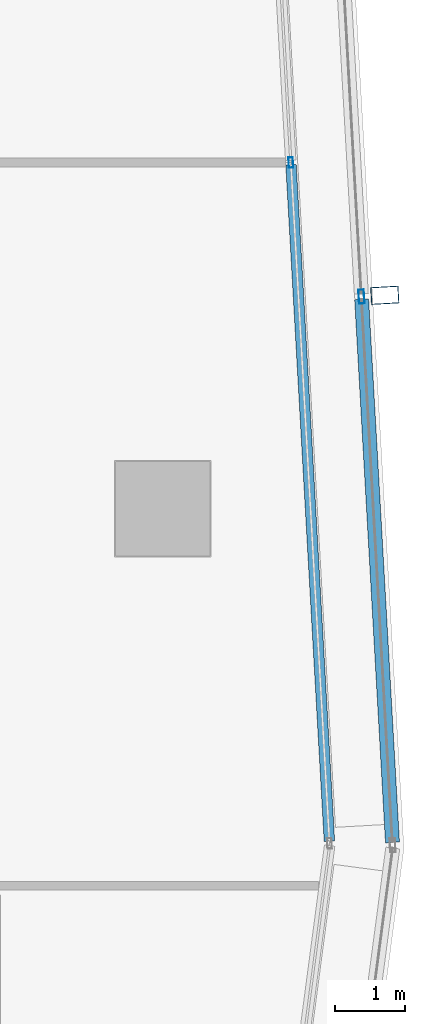
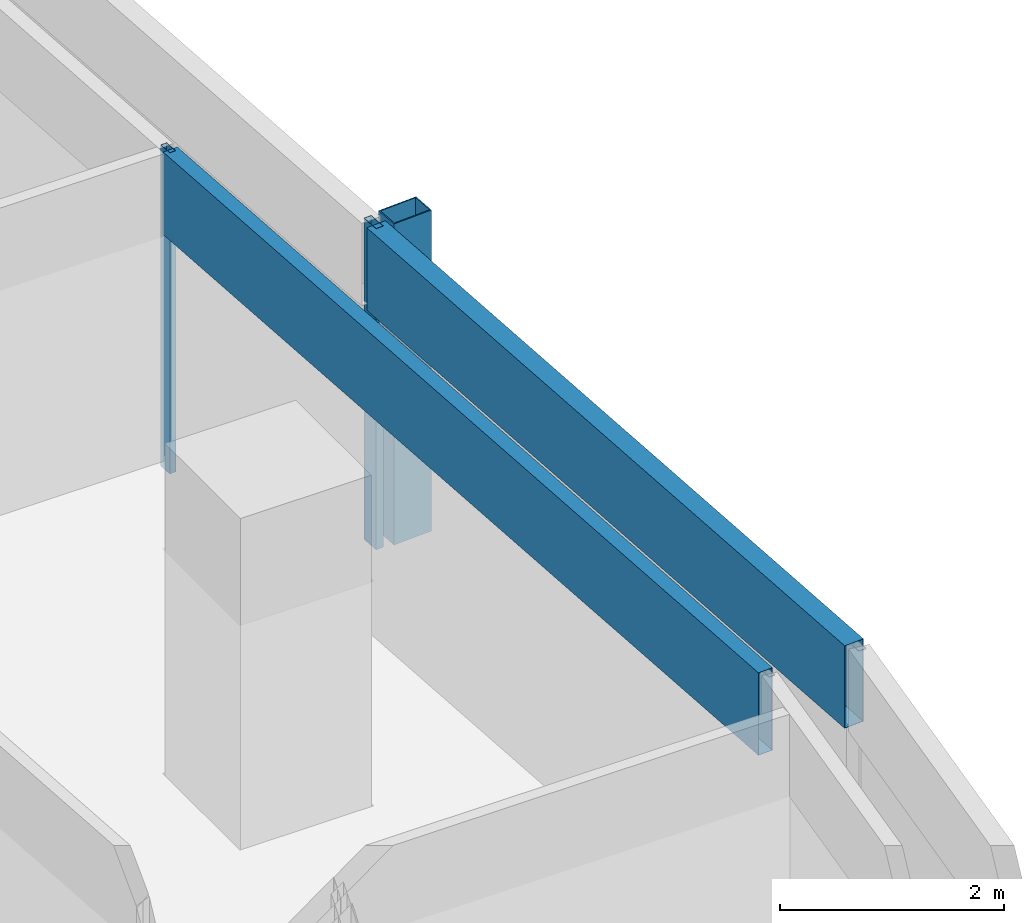
# One storey, part 13 of 39: 5 members, 2 elements without a shape of their own.
"""IFC4 building model written with IfcOpenShell, lengths in metres."""

import ifcopenshell
import ifcopenshell.guid

model = None  # the IFC model being written
_history = None  # IfcOwnerHistory: only IFC2X3 demands one
_inside = {}  # id of a spatial element -> (the spatial element, [elements in it])
_under = {}  # id of a project, library or spatial element -> (it, [spatial elements below it])
_declared = {}  # id of a project -> (the project, [libraries it declares])
_typed = {}  # id of a type object -> (the type object, [elements of that type])
_made_of = {}  # id of a material, layer set ... -> (it, [elements and type objects made of it])


def new_model(schema):
    """Start an empty IFC model of exactly this schema.

    Asked for "IFC4X3", IfcOpenShell would pick the latest addendum, in which some entities
    have other attributes; the version numbers below select the first issue.
    IFC2X3 requires an IfcOwnerHistory on every rooted entity: one is made here for all.
    """
    global model, _history
    if schema == "IFC4X3":
        model = ifcopenshell.file(schema_version=(4, 3, 0, 0))
    else:
        model = ifcopenshell.file(schema=schema)
    _inside.clear()
    _under.clear()
    _declared.clear()
    _typed.clear()
    _made_of.clear()
    _history = None
    if model.schema == "IFC2X3":
        org = make("IfcOrganization", Name="unknown")
        user = make(
            "IfcPersonAndOrganization",
            ThePerson=make("IfcPerson", FamilyName="unknown"),
            TheOrganization=org,
        )
        app = make(
            "IfcApplication",
            ApplicationDeveloper=org,
            Version="unknown",
            ApplicationFullName="unknown",
            ApplicationIdentifier="unknown",
        )
        _history = make(
            "IfcOwnerHistory",
            OwningUser=user,
            OwningApplication=app,
            ChangeAction="ADDED",
            CreationDate=0,
        )
    return model


def make(cls, **values):
    """One entity of the class cls with the attributes given. An attribute that is None is left unset."""
    return model.create_entity(
        cls, **{name: value for name, value in values.items() if value is not None}
    )


def rooted(cls, **values):
    """An entity with a GlobalId (a new one), such as an element, a storey or a relation."""
    return make(cls, GlobalId=ifcopenshell.guid.new(), OwnerHistory=_history, **values)


def si_unit(unit_type, name, prefix=None):
    """IfcSIUnit, for example si_unit("LENGTHUNIT", "METRE", prefix="MILLI")."""
    return make("IfcSIUnit", UnitType=unit_type, Prefix=prefix, Name=name)


def assignment(units):
    """IfcUnitAssignment: the units of a project."""
    return None if units is None else make("IfcUnitAssignment", Units=units)


def point(xyz):
    """IfcCartesianPoint."""
    return None if xyz is None else make("IfcCartesianPoint", Coordinates=xyz)


def direction(xyz):
    """IfcDirection."""
    return None if xyz is None else make("IfcDirection", DirectionRatios=xyz)


def frame(location, z_axis=None, x_axis=None):
    """IfcAxis2Placement3D, a coordinate frame: its origin and axes. An axis left out is left unset."""
    return make(
        "IfcAxis2Placement3D",
        Location=point(location),
        Axis=direction(z_axis),
        RefDirection=direction(x_axis),
    )


def frame_2d(location, x_axis=None):
    """IfcAxis2Placement2D, a coordinate frame in the plane: its origin and x axis."""
    return make(
        "IfcAxis2Placement2D", Location=point(location), RefDirection=direction(x_axis)
    )


def origin():
    """The frame at (0, 0, 0) with its axes left unset."""
    return frame((0.0, 0.0, 0.0))


def origin_2d():
    """The frame at (0, 0) in the plane with its x axis left unset."""
    return frame_2d((0.0, 0.0))


def place(relative_to, where):
    """IfcLocalPlacement: puts the frame where relative to a parent placement (None: the world)."""
    return make(
        "IfcLocalPlacement", PlacementRelTo=relative_to, RelativePlacement=where
    )


def context(
    kind, dimensions, precision=None, world=None, true_north=None, identifier=None
):
    """IfcGeometricRepresentationContext, for example the 3D "Model" context."""
    return make(
        "IfcGeometricRepresentationContext",
        ContextIdentifier=identifier,
        ContextType=kind,
        CoordinateSpaceDimension=dimensions,
        Precision=precision,
        WorldCoordinateSystem=world,
        TrueNorth=true_north,
    )


def subcontext(parent, identifier, kind, view, scale=None):
    """IfcGeometricRepresentationSubContext, for example "Body" below "Model"."""
    return make(
        "IfcGeometricRepresentationSubContext",
        ContextIdentifier=identifier,
        ContextType=kind,
        ParentContext=parent,
        TargetScale=scale,
        TargetView=view,
    )


def project(units=None, contexts=None):
    """IfcProject with its units and contexts."""
    return rooted(
        "IfcProject",
        Name="project",
        RepresentationContexts=contexts,
        UnitsInContext=assignment(units),
    )


def spatial(cls, under=None, at=None, **own):
    """A site, building, storey or space (cls), placed at a placement, below another one or the project."""
    s = rooted(cls, ObjectPlacement=at, **own)
    if under is not None:
        _under.setdefault(under.id(), (under, []))[1].append(s)
    return s


def profile(cls, at=None, kind="AREA", **sizes):
    """A parametric profile (cls). Its sizes go by their IFC names, for example OverallWidth=200.0."""
    return make(cls, ProfileType=kind, Position=at, **sizes)


def hollow_rectangle(**sizes):
    """IfcRectangleHollowProfileDef."""
    return profile("IfcRectangleHollowProfileDef", **sizes)


def extrude(swept, where, along, depth):
    """IfcExtrudedAreaSolid: the profile swept, set in the frame where, extruded along a direction by depth."""
    return make(
        "IfcExtrudedAreaSolid",
        SweptArea=swept,
        Position=where,
        ExtrudedDirection=direction(along),
        Depth=depth,
    )


def shape(context_of_items, identifier, shape_type, items):
    """IfcShapeRepresentation: the items that make up one representation, for example the "Body"."""
    return make(
        "IfcShapeRepresentation",
        ContextOfItems=context_of_items,
        RepresentationIdentifier=identifier,
        RepresentationType=shape_type,
        Items=items,
    )


def material(Name=None, Category=None):
    """IfcMaterial."""
    return make("IfcMaterial", Name=Name, Category=Category)


def material_profile(
    of_material, cross_section, Name=None, Category=None, Priority=None
):
    """IfcMaterialProfile: a cross section and its material."""
    return make(
        "IfcMaterialProfile",
        Name=Name,
        Material=of_material,
        Profile=cross_section,
        Priority=Priority,
        Category=Category,
    )


def profile_set(profiles, Name=None, composite=None):
    """IfcMaterialProfileSet."""
    return make(
        "IfcMaterialProfileSet",
        Name=Name,
        MaterialProfiles=profiles,
        CompositeProfile=composite,
    )


def made_of(thing, what):
    """Note that an element or type object is made of a material, layer set ...; save() writes the relation."""
    if what is not None:
        _made_of.setdefault(what.id(), (what, []))[1].append(thing)
    return thing


def type_object(cls, material=None, **own):
    """A type object (cls), such as IfcWallType, which elements share."""
    return made_of(rooted(cls, **own), material)


def element(
    cls,
    number,
    at=None,
    inside=None,
    cuts=None,
    type_object=None,
    material=None,
    context=None,
    identifier="Body",
    shape_type=None,
    held_by="IfcProductDefinitionShape",
    body=None,
    shapes=None,
    **own,
):
    """One element of the class cls, such as IfcWall. Its Tag is "e" and its number.

    at: its placement. inside: the storey or other place that contains it. cuts: it is an
    opening in that element (IfcRelVoidsElement). A single representation is given by context,
    identifier, shape_type and body (its items); several are given by shapes. held_by: the class
    of the entity that holds the representations. save() writes the other relations.
    """
    e = rooted(cls, Tag="e%d" % number, ObjectPlacement=at, **own)
    if body is not None:
        shapes = [shape(context, identifier, shape_type, body)]
    if shapes is not None:
        e.Representation = make(held_by, Representations=shapes)
    if inside is not None:
        _inside.setdefault(inside.id(), (inside, []))[1].append(e)
    if cuts is not None:
        rooted(
            "IfcRelVoidsElement", RelatingBuildingElement=cuts, RelatedOpeningElement=e
        )
    if type_object is not None:
        _typed.setdefault(type_object.id(), (type_object, []))[1].append(e)
    return made_of(e, material)


def aggregate(whole, parts):
    """IfcRelAggregates: a whole, such as a stair, and the parts it consists of."""
    return rooted("IfcRelAggregates", RelatingObject=whole, RelatedObjects=parts)


def save(model, path):
    """Write the relations noted so far, then the file.

    IfcRelAggregates (storeys below a building ...), IfcRelContainedInSpatialStructure (elements
    in a storey), IfcRelDefinesByType, IfcRelAssociatesMaterial and IfcRelDeclares: one each for
    every whole, place, type object, material and project.
    """
    for whole, parts in _under.values():
        aggregate(whole, parts)
    for where, things in _inside.values():
        rooted(
            "IfcRelContainedInSpatialStructure",
            RelatedElements=things,
            RelatingStructure=where,
        )
    for kind, things in _typed.values():
        rooted("IfcRelDefinesByType", RelatedObjects=things, RelatingType=kind)
    for what, things in _made_of.values():
        rooted("IfcRelAssociatesMaterial", RelatedObjects=things, RelatingMaterial=what)
    for by, libraries in _declared.values():
        rooted("IfcRelDeclares", RelatingContext=by, RelatedDefinitions=libraries)
    model.write(path)


model = new_model("IFC4")

# Units and contexts
model_context = context("Model", 3, precision=1e-05, world=origin(), true_north=direction((0.0, 1.0)))
body_context = subcontext(model_context, "Body", "Model", "MODEL_VIEW")
ifc_project = project(units=[si_unit("LENGTHUNIT", "METRE"), si_unit("AREAUNIT", "SQUARE_METRE"), si_unit("VOLUMEUNIT", "CUBIC_METRE"), si_unit("PLANEANGLEUNIT", "RADIAN"), si_unit("MASSUNIT", "GRAM", prefix="KILO")], contexts=[model_context])

# Site, building, storey
site_placement = place(None, origin())
site = spatial("IfcSite", under=ifc_project, at=site_placement, CompositionType="ELEMENT")
building_placement = place(site_placement, origin())
building = spatial("IfcBuilding", under=site, at=building_placement, Name="Rekha Terrace Tower", CompositionType="ELEMENT")
storey_placement = place(building_placement, frame((0.0, 0.0, 221.449951171875)))
storey = spatial("IfcBuildingStorey", under=building, at=storey_placement, Name="L56", CompositionType="ELEMENT", Elevation=221.449951171875)

# Curtain wall, member
ifc_material_1 = material(Name="Aluminium framing", Category="aluminium")
curtain_wall_type_1 = type_object("IfcCurtainWallType", Name="CW2 double skin outer glazing", PredefinedType="USERDEFINED", material=ifc_material_1)
curtain_wall_1_placement = place(storey_placement, origin())
curtain_wall_1 = element("IfcCurtainWall", 1, at=curtain_wall_1_placement, inside=storey, type_object=curtain_wall_type_1, Name="CW2 double skin outer glazing", ObjectType="DOUBLE SKIN OUTER GLAZING", PredefinedType="USERDEFINED")
ifc_material_2 = material(Name="Steel S355 with fluorocarbon finish", Category="steel")
ifc_material_profile_1 = material_profile(ifc_material_2, hollow_rectangle(XDim=0.25, YDim=0.39990234375, WallThickness=0.012451171875, at=origin_2d()), Name="RHS400x250x12.5")
ifc_profile_set_1 = profile_set([ifc_material_profile_1], Name="Steel S355 with fluorocarbon finish")
member_type_1 = type_object("IfcMemberType", Name="BL1 facade blade RHS 400 x 250", PredefinedType="USERDEFINED", material=ifc_profile_set_1)
member_1_placement = place(storey_placement, frame((61.975830078125, 36.65576171875, 0.0), z_axis=(0.0, 0.0, 1.0), x_axis=(-0.056673619809, 0.998392758797, 0.0)))
member_1 = element("IfcMember", 2, at=member_1_placement, type_object=member_type_1, Name="Facade blade", ObjectType="FACADE BLADE", PredefinedType="USERDEFINED", context=body_context, shape_type="SweptSolid", body=[
    extrude(hollow_rectangle(XDim=0.25, YDim=0.39990234375, WallThickness=0.012451171875, at=origin_2d()), origin(), (0.0, 0.0, 1.0), 3.5),
])

# Curtain wall, members
curtain_wall_type_2 = type_object("IfcCurtainWallType", Name="CW1 double skin inner glazing", PredefinedType="USERDEFINED", material=ifc_material_1)
curtain_wall_2_placement = place(storey_placement, origin())
curtain_wall_2 = element("IfcCurtainWall", 3, at=curtain_wall_2_placement, inside=storey, type_object=curtain_wall_type_2, Name="CW1 double skin inner glazing", ObjectType="DOUBLE SKIN INNER GLAZING", PredefinedType="USERDEFINED")
ifc_material_3 = material(Name="Aluminium mullion section", Category="aluminium")
ifc_material_profile_2 = material_profile(ifc_material_3, hollow_rectangle(XDim=0.06494140625, YDim=0.14990234375, WallThickness=0.00390625, at=origin_2d()), Name="AL RHS 65x150")
ifc_profile_set_2 = profile_set([ifc_material_profile_2], Name="Aluminium mullion section")
member_type_2 = type_object("IfcMemberType", Name="CW1 mullion RHS 65 x 150", PredefinedType="MULLION", material=ifc_profile_set_2)
member_2_placement = place(storey_placement, frame((60.631103515625, 38.555908203125, 0.0), z_axis=(0.0, 0.0, 1.0), x_axis=(-0.998392782919, -0.05667319486, 0.0)))
member_2 = element("IfcMember", 4, at=member_2_placement, type_object=member_type_2, Name="CW1 mullion 2", PredefinedType="MULLION", context=body_context, shape_type="SweptSolid", body=[
    extrude(hollow_rectangle(XDim=0.06494140625, YDim=0.14990234375, WallThickness=0.00390625, at=origin_2d()), origin(), (0.0, 0.0, 1.0), 3.5),
])
ifc_material_4 = material(Name="Insulated aluminium spandrel box", Category="aluminium")
ifc_material_profile_3 = material_profile(ifc_material_4, hollow_rectangle(XDim=0.14990234375, YDim=0.89990234375, WallThickness=0.0029296875, at=origin_2d()), Name="AL SPANDREL BOX 150x900")
ifc_profile_set_3 = profile_set([ifc_material_profile_3], Name="Insulated aluminium spandrel box")
member_type_3 = type_object("IfcMemberType", Name="CW1 spandrel transom 150 x 900", PredefinedType="USERDEFINED", material=ifc_profile_set_3)
member_3_placement = place(storey_placement, frame((61.182373046875, 28.8447265625, 3.050048828125), z_axis=(-0.056663932611, 0.998393308642, 0.0), x_axis=(-0.998393308642, -0.056663932611, 0.0)))
member_3 = element("IfcMember", 5, at=member_3_placement, type_object=member_type_3, Name="CW1 spandrel transom 1", ObjectType="TRANSOM", PredefinedType="USERDEFINED", context=body_context, shape_type="SweptSolid", body=[
    extrude(hollow_rectangle(XDim=0.14990234375, YDim=0.89990234375, WallThickness=0.0029296875, at=origin_2d()), origin(), (0.0, 0.0, 1.0), 9.6943359375),
])
aggregate(curtain_wall_2, [member_2, member_3])

# Member
ifc_material_profile_4 = material_profile(ifc_material_3, hollow_rectangle(XDim=0.080078125, YDim=0.199951171875, WallThickness=0.00390625, at=origin_2d()), Name="AL RHS 80x200")
ifc_profile_set_4 = profile_set([ifc_material_profile_4], Name="Aluminium mullion section")
member_type_4 = type_object("IfcMemberType", Name="CW2 mullion RHS 80 x 200", PredefinedType="MULLION", material=ifc_profile_set_4)
member_4_placement = place(storey_placement, frame((61.6416015625, 36.63671875, 0.0), z_axis=(0.0, 0.0, 1.0), x_axis=(-0.998392782919, -0.05667319486, 0.0)))
member_4 = element("IfcMember", 6, at=member_4_placement, type_object=member_type_4, Name="CW2 mullion 2", PredefinedType="MULLION", context=body_context, shape_type="SweptSolid", body=[
    extrude(hollow_rectangle(XDim=0.080078125, YDim=0.199951171875, WallThickness=0.00390625, at=origin_2d()), origin(), (0.0, 0.0, 1.0), 3.5),
])

ifc_material_profile_5 = material_profile(ifc_material_4, hollow_rectangle(XDim=0.199951171875, YDim=0.89990234375, WallThickness=0.0029296875, at=origin_2d()), Name="AL SPANDREL BOX 200x900")
ifc_profile_set_5 = profile_set([ifc_material_profile_5], Name="Insulated aluminium spandrel box")
member_type_5 = type_object("IfcMemberType", Name="CW2 spandrel transom 200 x 900", PredefinedType="USERDEFINED", material=ifc_profile_set_5)
member_5_placement = place(storey_placement, frame((62.0849609375, 28.825927734375, 3.050048828125), z_axis=(-0.05667908121, 0.998392448766, 0.0), x_axis=(-0.998392448766, -0.05667908121, 0.0)))
member_5 = element("IfcMember", 7, at=member_5_placement, type_object=member_type_5, Name="CW2 spandrel transom 1", ObjectType="TRANSOM", PredefinedType="USERDEFINED", context=body_context, shape_type="SweptSolid", body=[
    extrude(hollow_rectangle(XDim=0.199951171875, YDim=0.89990234375, WallThickness=0.0029296875, at=origin_2d()), origin(), (0.0, 0.0, 1.0), 7.783447265625),
])

aggregate(curtain_wall_1, [member_4, member_5, member_1])

save(model, "model.ifc")
